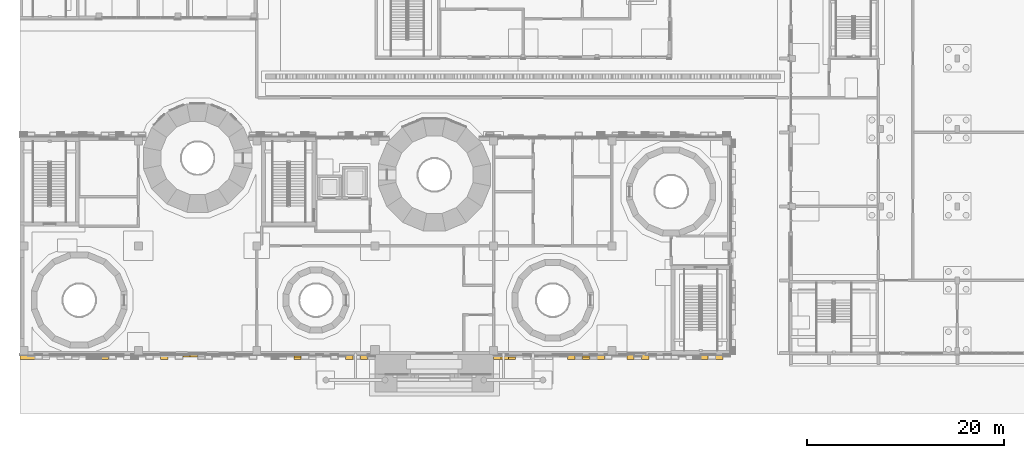
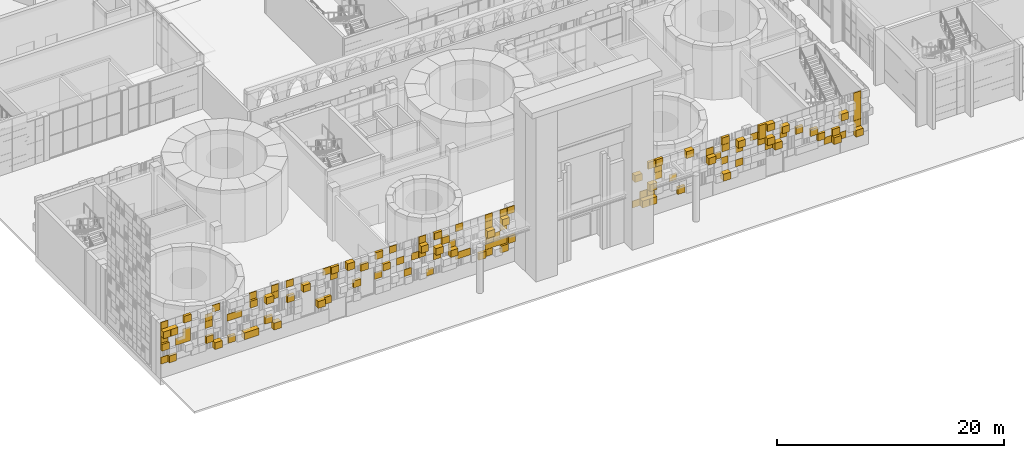
# One storey, part 77 of 125: 1 covering.
"""IFC4 building model written with IfcOpenShell, lengths in metres."""

from ifc_helpers import new_model, si_unit, direction, frame, origin, origin_2d, place, context, subcontext, project, spatial, rectangle, extrude, material, layer, layer_set, type_object, element, save


model = new_model("IFC4")

# Units and contexts
model_context = context("Model", 3, precision=1e-05, world=origin(), true_north=direction((0.0, 1.0)))
body_context = subcontext(model_context, "Body", "Model", "MODEL_VIEW")
ifc_project = project(units=[si_unit("LENGTHUNIT", "METRE"), si_unit("AREAUNIT", "SQUARE_METRE"), si_unit("VOLUMEUNIT", "CUBIC_METRE"), si_unit("PLANEANGLEUNIT", "RADIAN"), si_unit("MASSUNIT", "GRAM", prefix="KILO")], contexts=[model_context])

# Site, building, storey
site_placement = place(None, origin())
site = spatial("IfcSite", under=ifc_project, at=site_placement, CompositionType="ELEMENT")
building_placement = place(site_placement, origin())
building = spatial("IfcBuilding", under=site, at=building_placement, Name="Sun Court Science Centre", CompositionType="ELEMENT")
storey_placement = place(building_placement, origin())
storey = spatial("IfcBuildingStorey", under=building, at=storey_placement, Name="L00", CompositionType="ELEMENT", Elevation=0.0)

# Covering
ifc_material = material(Name="Terracotta shade 1", Category="masonry")
ifc_layer = layer(ifc_material, 0.06005859375)
ifc_layer_set = layer_set([ifc_layer], Name="Terracotta shade 1")
covering_type = type_object("IfcCoveringType", Name="Terracotta pixel panel shade 1", PredefinedType="CLADDING", material=ifc_layer_set)
covering_placement = place(storey_placement, origin())
element("IfcCovering", 1, at=covering_placement, inside=storey, type_object=covering_type, Name="Terracotta pixel cladding shade 1 south face L00", PredefinedType="CLADDING", context=body_context, shape_type="SweptSolid", body=[
    extrude(rectangle(XDim=0.739990234375, YDim=0.06005859375, at=origin_2d()), frame((69.375, 5.969970703125, 1.5048828125), z_axis=(0.0, 0.0, 1.0), x_axis=(-1.0, 0.0, 0.0)), (0.0, 0.0, 1.0), 0.739990234375),
    extrude(rectangle(XDim=0.739990234375, YDim=0.510009765625, at=origin_2d()), frame((68.625, 5.7451171875, 1.5048828125), z_axis=(0.0, 0.0, 1.0), x_axis=(-1.0, 0.0, 0.0)), (0.0, 0.0, 1.0), 0.739990234375),
    extrude(rectangle(XDim=0.739990234375, YDim=0.06005859375, at=origin_2d()), frame((67.875, 5.969970703125, 1.5048828125), z_axis=(0.0, 0.0, 1.0), x_axis=(-1.0, 0.0, 0.0)), (0.0, 0.0, 1.0), 0.739990234375),
    extrude(rectangle(XDim=0.739990234375, YDim=0.510009765625, at=origin_2d()), frame((57.375, 5.7451171875, 1.5048828125), z_axis=(0.0, 0.0, 1.0), x_axis=(-1.0, 0.0, 0.0)), (0.0, 0.0, 1.0), 0.739990234375),
    extrude(rectangle(XDim=0.739990234375, YDim=0.260009765625, at=origin_2d()), frame((52.875, 5.8701171875, 1.5048828125), z_axis=(0.0, 0.0, 1.0), x_axis=(-1.0, 0.0, 0.0)), (0.0, 0.0, 1.0), 0.739990234375),
    extrude(rectangle(XDim=0.739990234375, YDim=0.510009765625, at=origin_2d()), frame((49.875, 5.7451171875, 1.5048828125), z_axis=(0.0, 0.0, 1.0), x_axis=(-1.0, 0.0, 0.0)), (0.0, 0.0, 1.0), 0.739990234375),
    extrude(rectangle(XDim=0.739990234375, YDim=0.510009765625, at=origin_2d()), frame((49.125, 5.7451171875, 1.5048828125), z_axis=(0.0, 0.0, 1.0), x_axis=(-1.0, 0.0, 0.0)), (0.0, 0.0, 1.0), 0.739990234375),
    extrude(rectangle(XDim=0.739990234375, YDim=0.06005859375, at=origin_2d()), frame((48.375, 5.969970703125, 1.5048828125), z_axis=(0.0, 0.0, 1.0), x_axis=(-1.0, 0.0, 0.0)), (0.0, 0.0, 1.0), 0.739990234375),
    extrude(rectangle(XDim=0.739990234375, YDim=0.260009765625, at=origin_2d()), frame((34.875, 5.8701171875, 1.5048828125), z_axis=(0.0, 0.0, 1.0), x_axis=(-1.0, 0.0, 0.0)), (0.0, 0.0, 1.0), 0.739990234375),
    extrude(rectangle(XDim=0.739990234375, YDim=0.06005859375, at=origin_2d()), frame((33.375, 5.969970703125, 1.5048828125), z_axis=(0.0, 0.0, 1.0), x_axis=(-1.0, 0.0, 0.0)), (0.0, 0.0, 1.0), 0.739990234375),
    extrude(rectangle(XDim=0.739990234375, YDim=0.260009765625, at=origin_2d()), frame((32.625, 5.8701171875, 1.5048828125), z_axis=(0.0, 0.0, 1.0), x_axis=(-1.0, 0.0, 0.0)), (0.0, 0.0, 1.0), 0.739990234375),
    extrude(rectangle(XDim=0.739990234375, YDim=0.06005859375, at=origin_2d()), frame((27.375, 5.969970703125, 1.5048828125), z_axis=(0.0, 0.0, 1.0), x_axis=(-1.0, 0.0, 0.0)), (0.0, 0.0, 1.0), 0.739990234375),
    extrude(rectangle(XDim=0.739990234375, YDim=0.510009765625, at=origin_2d()), frame((11.625, 5.7451171875, 1.5048828125), z_axis=(0.0, 0.0, 1.0), x_axis=(-1.0, 0.0, 0.0)), (0.0, 0.0, 1.0), 0.739990234375),
    extrude(rectangle(XDim=0.739990234375, YDim=0.510009765625, at=origin_2d()), frame((9.375, 5.7451171875, 1.5048828125), z_axis=(0.0, 0.0, 1.0), x_axis=(-1.0, 0.0, 0.0)), (0.0, 0.0, 1.0), 0.739990234375),
    extrude(rectangle(XDim=0.739990234375, YDim=0.510009765625, at=origin_2d()), frame((8.625, 5.7451171875, 1.5048828125), z_axis=(0.0, 0.0, 1.0), x_axis=(-1.0, 0.0, 0.0)), (0.0, 0.0, 1.0), 0.739990234375),
    extrude(rectangle(XDim=0.739990234375, YDim=0.260009765625, at=origin_2d()), frame((7.125, 5.8701171875, 1.5048828125), z_axis=(0.0, 0.0, 1.0), x_axis=(-1.0, 0.0, 0.0)), (0.0, 0.0, 1.0), 0.739990234375),
    extrude(rectangle(XDim=0.739990234375, YDim=0.510009765625, at=origin_2d()), frame((5.625, 5.7451171875, 1.5048828125), z_axis=(0.0, 0.0, 1.0), x_axis=(-1.0, 0.0, 0.0)), (0.0, 0.0, 1.0), 0.739990234375),
    extrude(rectangle(XDim=0.739990234375, YDim=0.260009765625, at=origin_2d()), frame((1.125, 5.8701171875, 1.5048828125), z_axis=(0.0, 0.0, 1.0), x_axis=(-1.0, 0.0, 0.0)), (0.0, 0.0, 1.0), 0.739990234375),
    extrude(rectangle(XDim=0.739990234375, YDim=0.06005859375, at=origin_2d()), frame((0.375, 5.969970703125, 1.5048828125), z_axis=(0.0, 0.0, 1.0), x_axis=(-1.0, 0.0, 0.0)), (0.0, 0.0, 1.0), 0.739990234375),
    extrude(rectangle(XDim=0.739990234375, YDim=0.06005859375, at=origin_2d()), frame((70.875, 5.969970703125, 2.2548828125), z_axis=(0.0, 0.0, 1.0), x_axis=(-1.0, 0.0, 0.0)), (0.0, 0.0, 1.0), 0.739990234375),
    extrude(rectangle(XDim=0.739990234375, YDim=0.260009765625, at=origin_2d()), frame((68.625, 5.8701171875, 2.2548828125), z_axis=(0.0, 0.0, 1.0), x_axis=(-1.0, 0.0, 0.0)), (0.0, 0.0, 1.0), 0.739990234375),
    extrude(rectangle(XDim=0.739990234375, YDim=0.260009765625, at=origin_2d()), frame((67.125, 5.8701171875, 2.2548828125), z_axis=(0.0, 0.0, 1.0), x_axis=(-1.0, 0.0, 0.0)), (0.0, 0.0, 1.0), 0.739990234375),
    extrude(rectangle(XDim=0.739990234375, YDim=0.06005859375, at=origin_2d()), frame((58.875, 5.969970703125, 2.2548828125), z_axis=(0.0, 0.0, 1.0), x_axis=(-1.0, 0.0, 0.0)), (0.0, 0.0, 1.0), 0.739990234375),
    extrude(rectangle(XDim=0.739990234375, YDim=0.06005859375, at=origin_2d()), frame((49.875, 5.969970703125, 2.2548828125), z_axis=(0.0, 0.0, 1.0), x_axis=(-1.0, 0.0, 0.0)), (0.0, 0.0, 1.0), 0.739990234375),
    extrude(rectangle(XDim=0.739990234375, YDim=0.06005859375, at=origin_2d()), frame((49.125, 5.969970703125, 2.2548828125), z_axis=(0.0, 0.0, 1.0), x_axis=(-1.0, 0.0, 0.0)), (0.0, 0.0, 1.0), 0.739990234375),
    extrude(rectangle(XDim=0.739990234375, YDim=0.260009765625, at=origin_2d()), frame((35.625, 5.8701171875, 2.2548828125), z_axis=(0.0, 0.0, 1.0), x_axis=(-1.0, 0.0, 0.0)), (0.0, 0.0, 1.0), 0.739990234375),
    extrude(rectangle(XDim=0.739990234375, YDim=0.06005859375, at=origin_2d()), frame((34.875, 5.969970703125, 2.2548828125), z_axis=(0.0, 0.0, 1.0), x_axis=(-1.0, 0.0, 0.0)), (0.0, 0.0, 1.0), 0.739990234375),
    extrude(rectangle(XDim=0.739990234375, YDim=0.06005859375, at=origin_2d()), frame((34.125, 5.969970703125, 2.2548828125), z_axis=(0.0, 0.0, 1.0), x_axis=(-1.0, 0.0, 0.0)), (0.0, 0.0, 1.0), 0.739990234375),
    extrude(rectangle(XDim=0.739990234375, YDim=0.06005859375, at=origin_2d()), frame((33.375, 5.969970703125, 2.2548828125), z_axis=(0.0, 0.0, 1.0), x_axis=(-1.0, 0.0, 0.0)), (0.0, 0.0, 1.0), 0.739990234375),
    extrude(rectangle(XDim=0.739990234375, YDim=0.06005859375, at=origin_2d()), frame((31.125, 5.969970703125, 2.2548828125), z_axis=(0.0, 0.0, 1.0), x_axis=(-1.0, 0.0, 0.0)), (0.0, 0.0, 1.0), 0.739990234375),
    extrude(rectangle(XDim=0.739990234375, YDim=0.06005859375, at=origin_2d()), frame((30.375, 5.969970703125, 2.2548828125), z_axis=(0.0, 0.0, 1.0), x_axis=(-1.0, 0.0, 0.0)), (0.0, 0.0, 1.0), 0.739990234375),
    extrude(rectangle(XDim=0.739990234375, YDim=0.06005859375, at=origin_2d()), frame((25.125, 5.969970703125, 2.2548828125), z_axis=(0.0, 0.0, 1.0), x_axis=(-1.0, 0.0, 0.0)), (0.0, 0.0, 1.0), 0.739990234375),
    extrude(rectangle(XDim=0.739990234375, YDim=0.260009765625, at=origin_2d()), frame((16.875, 5.8701171875, 2.2548828125), z_axis=(0.0, 0.0, 1.0), x_axis=(-1.0, 0.0, 0.0)), (0.0, 0.0, 1.0), 0.739990234375),
    extrude(rectangle(XDim=0.739990234375, YDim=0.510009765625, at=origin_2d()), frame((16.125, 5.7451171875, 2.2548828125), z_axis=(0.0, 0.0, 1.0), x_axis=(-1.0, 0.0, 0.0)), (0.0, 0.0, 1.0), 0.739990234375),
    extrude(rectangle(XDim=0.739990234375, YDim=0.260009765625, at=origin_2d()), frame((10.875, 5.8701171875, 2.2548828125), z_axis=(0.0, 0.0, 1.0), x_axis=(-1.0, 0.0, 0.0)), (0.0, 0.0, 1.0), 0.739990234375),
    extrude(rectangle(XDim=0.739990234375, YDim=0.260009765625, at=origin_2d()), frame((4.875, 5.8701171875, 2.2548828125), z_axis=(0.0, 0.0, 1.0), x_axis=(-1.0, 0.0, 0.0)), (0.0, 0.0, 1.0), 0.739990234375),
    extrude(rectangle(XDim=0.739990234375, YDim=0.260009765625, at=origin_2d()), frame((66.375, 5.8701171875, 3.0048828125), z_axis=(0.0, 0.0, 1.0), x_axis=(-1.0, 0.0, 0.0)), (0.0, 0.0, 1.0), 0.739990234375),
    extrude(rectangle(XDim=0.739990234375, YDim=0.510009765625, at=origin_2d()), frame((62.625, 5.7451171875, 3.0048828125), z_axis=(0.0, 0.0, 1.0), x_axis=(-1.0, 0.0, 0.0)), (0.0, 0.0, 1.0), 0.739990234375),
    extrude(rectangle(XDim=0.739990234375, YDim=0.06005859375, at=origin_2d()), frame((61.875, 5.969970703125, 3.0048828125), z_axis=(0.0, 0.0, 1.0), x_axis=(-1.0, 0.0, 0.0)), (0.0, 0.0, 1.0), 0.739990234375),
    extrude(rectangle(XDim=0.739990234375, YDim=0.06005859375, at=origin_2d()), frame((57.375, 5.969970703125, 3.0048828125), z_axis=(0.0, 0.0, 1.0), x_axis=(-1.0, 0.0, 0.0)), (0.0, 0.0, 1.0), 0.739990234375),
    extrude(rectangle(XDim=0.739990234375, YDim=0.06005859375, at=origin_2d()), frame((52.125, 5.969970703125, 3.0048828125), z_axis=(0.0, 0.0, 1.0), x_axis=(-1.0, 0.0, 0.0)), (0.0, 0.0, 1.0), 0.739990234375),
    extrude(rectangle(XDim=0.739990234375, YDim=0.510009765625, at=origin_2d()), frame((49.875, 5.7451171875, 3.0048828125), z_axis=(0.0, 0.0, 1.0), x_axis=(-1.0, 0.0, 0.0)), (0.0, 0.0, 1.0), 0.739990234375),
    extrude(rectangle(XDim=0.739990234375, YDim=0.06005859375, at=origin_2d()), frame((34.125, 5.969970703125, 3.0048828125), z_axis=(0.0, 0.0, 1.0), x_axis=(-1.0, 0.0, 0.0)), (0.0, 0.0, 1.0), 0.739990234375),
    extrude(rectangle(XDim=0.739990234375, YDim=0.260009765625, at=origin_2d()), frame((33.375, 5.8701171875, 3.0048828125), z_axis=(0.0, 0.0, 1.0), x_axis=(-1.0, 0.0, 0.0)), (0.0, 0.0, 1.0), 0.739990234375),
    extrude(rectangle(XDim=0.739990234375, YDim=0.510009765625, at=origin_2d()), frame((29.625, 5.7451171875, 3.0048828125), z_axis=(0.0, 0.0, 1.0), x_axis=(-1.0, 0.0, 0.0)), (0.0, 0.0, 1.0), 0.739990234375),
    extrude(rectangle(XDim=0.739990234375, YDim=0.06005859375, at=origin_2d()), frame((28.125, 5.969970703125, 3.0048828125), z_axis=(0.0, 0.0, 1.0), x_axis=(-1.0, 0.0, 0.0)), (0.0, 0.0, 1.0), 0.739990234375),
    extrude(rectangle(XDim=0.739990234375, YDim=0.06005859375, at=origin_2d()), frame((22.125, 5.969970703125, 3.0048828125), z_axis=(0.0, 0.0, 1.0), x_axis=(-1.0, 0.0, 0.0)), (0.0, 0.0, 1.0), 0.739990234375),
    extrude(rectangle(XDim=0.739990234375, YDim=0.260009765625, at=origin_2d()), frame((19.875, 5.8701171875, 3.0048828125), z_axis=(0.0, 0.0, 1.0), x_axis=(-1.0, 0.0, 0.0)), (0.0, 0.0, 1.0), 0.739990234375),
    extrude(rectangle(XDim=0.739990234375, YDim=0.06005859375, at=origin_2d()), frame((2.625, 5.969970703125, 3.0048828125), z_axis=(0.0, 0.0, 1.0), x_axis=(-1.0, 0.0, 0.0)), (0.0, 0.0, 1.0), 0.739990234375),
    extrude(rectangle(XDim=0.739990234375, YDim=0.06005859375, at=origin_2d()), frame((1.875, 5.969970703125, 3.0048828125), z_axis=(0.0, 0.0, 1.0), x_axis=(-1.0, 0.0, 0.0)), (0.0, 0.0, 1.0), 0.739990234375),
    extrude(rectangle(XDim=0.739990234375, YDim=0.510009765625, at=origin_2d()), frame((69.375, 5.7451171875, 3.7548828125), z_axis=(0.0, 0.0, 1.0), x_axis=(-1.0, 0.0, 0.0)), (0.0, 0.0, 1.0), 0.739990234375),
    extrude(rectangle(XDim=0.739990234375, YDim=0.260009765625, at=origin_2d()), frame((64.875, 5.8701171875, 3.7548828125), z_axis=(0.0, 0.0, 1.0), x_axis=(-1.0, 0.0, 0.0)), (0.0, 0.0, 1.0), 0.739990234375),
    extrude(rectangle(XDim=0.739990234375, YDim=0.06005859375, at=origin_2d()), frame((63.375, 5.969970703125, 3.7548828125), z_axis=(0.0, 0.0, 1.0), x_axis=(-1.0, 0.0, 0.0)), (0.0, 0.0, 1.0), 0.739990234375),
    extrude(rectangle(XDim=0.739990234375, YDim=0.510009765625, at=origin_2d()), frame((61.875, 5.7451171875, 3.7548828125), z_axis=(0.0, 0.0, 1.0), x_axis=(-1.0, 0.0, 0.0)), (0.0, 0.0, 1.0), 0.739990234375),
    extrude(rectangle(XDim=0.739990234375, YDim=0.06005859375, at=origin_2d()), frame((61.125, 5.969970703125, 3.7548828125), z_axis=(0.0, 0.0, 1.0), x_axis=(-1.0, 0.0, 0.0)), (0.0, 0.0, 1.0), 0.739990234375),
    extrude(rectangle(XDim=0.739990234375, YDim=0.06005859375, at=origin_2d()), frame((58.875, 5.969970703125, 3.7548828125), z_axis=(0.0, 0.0, 1.0), x_axis=(-1.0, 0.0, 0.0)), (0.0, 0.0, 1.0), 0.739990234375),
    extrude(rectangle(XDim=0.739990234375, YDim=0.06005859375, at=origin_2d()), frame((56.625, 5.969970703125, 3.7548828125), z_axis=(0.0, 0.0, 1.0), x_axis=(-1.0, 0.0, 0.0)), (0.0, 0.0, 1.0), 0.739990234375),
    extrude(rectangle(XDim=0.739990234375, YDim=0.510009765625, at=origin_2d()), frame((55.875, 5.7451171875, 3.7548828125), z_axis=(0.0, 0.0, 1.0), x_axis=(-1.0, 0.0, 0.0)), (0.0, 0.0, 1.0), 0.739990234375),
    extrude(rectangle(XDim=0.739990234375, YDim=0.06005859375, at=origin_2d()), frame((50.625, 5.969970703125, 3.7548828125), z_axis=(0.0, 0.0, 1.0), x_axis=(-1.0, 0.0, 0.0)), (0.0, 0.0, 1.0), 0.739990234375),
    extrude(rectangle(XDim=0.739990234375, YDim=0.06005859375, at=origin_2d()), frame((34.875, 5.969970703125, 3.7548828125), z_axis=(0.0, 0.0, 1.0), x_axis=(-1.0, 0.0, 0.0)), (0.0, 0.0, 1.0), 0.739990234375),
    extrude(rectangle(XDim=0.739990234375, YDim=0.510009765625, at=origin_2d()), frame((33.375, 5.7451171875, 3.7548828125), z_axis=(0.0, 0.0, 1.0), x_axis=(-1.0, 0.0, 0.0)), (0.0, 0.0, 1.0), 0.739990234375),
    extrude(rectangle(XDim=0.739990234375, YDim=0.06005859375, at=origin_2d()), frame((29.625, 5.969970703125, 3.7548828125), z_axis=(0.0, 0.0, 1.0), x_axis=(-1.0, 0.0, 0.0)), (0.0, 0.0, 1.0), 0.739990234375),
    extrude(rectangle(XDim=0.739990234375, YDim=0.510009765625, at=origin_2d()), frame((28.125, 5.7451171875, 3.7548828125), z_axis=(0.0, 0.0, 1.0), x_axis=(-1.0, 0.0, 0.0)), (0.0, 0.0, 1.0), 0.739990234375),
    extrude(rectangle(XDim=0.739990234375, YDim=0.06005859375, at=origin_2d()), frame((26.625, 5.969970703125, 3.7548828125), z_axis=(0.0, 0.0, 1.0), x_axis=(-1.0, 0.0, 0.0)), (0.0, 0.0, 1.0), 0.739990234375),
    extrude(rectangle(XDim=0.739990234375, YDim=0.06005859375, at=origin_2d()), frame((25.875, 5.969970703125, 3.7548828125), z_axis=(0.0, 0.0, 1.0), x_axis=(-1.0, 0.0, 0.0)), (0.0, 0.0, 1.0), 0.739990234375),
    extrude(rectangle(XDim=0.739990234375, YDim=0.06005859375, at=origin_2d()), frame((24.375, 5.969970703125, 3.7548828125), z_axis=(0.0, 0.0, 1.0), x_axis=(-1.0, 0.0, 0.0)), (0.0, 0.0, 1.0), 0.739990234375),
    extrude(rectangle(XDim=0.739990234375, YDim=0.260009765625, at=origin_2d()), frame((22.875, 5.8701171875, 3.7548828125), z_axis=(0.0, 0.0, 1.0), x_axis=(-1.0, 0.0, 0.0)), (0.0, 0.0, 1.0), 0.739990234375),
    extrude(rectangle(XDim=0.739990234375, YDim=0.260009765625, at=origin_2d()), frame((13.125, 5.8701171875, 3.7548828125), z_axis=(0.0, 0.0, 1.0), x_axis=(-1.0, 0.0, 0.0)), (0.0, 0.0, 1.0), 0.739990234375),
    extrude(rectangle(XDim=0.739990234375, YDim=0.06005859375, at=origin_2d()), frame((7.875, 5.969970703125, 3.7548828125), z_axis=(0.0, 0.0, 1.0), x_axis=(-1.0, 0.0, 0.0)), (0.0, 0.0, 1.0), 0.739990234375),
    extrude(rectangle(XDim=0.739990234375, YDim=0.06005859375, at=origin_2d()), frame((7.125, 5.969970703125, 3.7548828125), z_axis=(0.0, 0.0, 1.0), x_axis=(-1.0, 0.0, 0.0)), (0.0, 0.0, 1.0), 0.739990234375),
    extrude(rectangle(XDim=0.739990234375, YDim=0.06005859375, at=origin_2d()), frame((4.875, 5.969970703125, 3.7548828125), z_axis=(0.0, 0.0, 1.0), x_axis=(-1.0, 0.0, 0.0)), (0.0, 0.0, 1.0), 0.739990234375),
    extrude(rectangle(XDim=0.739990234375, YDim=0.06005859375, at=origin_2d()), frame((2.625, 5.969970703125, 3.7548828125), z_axis=(0.0, 0.0, 1.0), x_axis=(-1.0, 0.0, 0.0)), (0.0, 0.0, 1.0), 0.739990234375),
    extrude(rectangle(XDim=0.739990234375, YDim=0.06005859375, at=origin_2d()), frame((0.375, 5.969970703125, 3.7548828125), z_axis=(0.0, 0.0, 1.0), x_axis=(-1.0, 0.0, 0.0)), (0.0, 0.0, 1.0), 0.739990234375),
    extrude(rectangle(XDim=0.739990234375, YDim=0.510009765625, at=origin_2d()), frame((63.375, 5.7451171875, 4.5048828125), z_axis=(0.0, 0.0, 1.0), x_axis=(-1.0, 0.0, 0.0)), (0.0, 0.0, 1.0), 0.739990234375),
    extrude(rectangle(XDim=0.739990234375, YDim=0.260009765625, at=origin_2d()), frame((61.125, 5.8701171875, 4.5048828125), z_axis=(0.0, 0.0, 1.0), x_axis=(-1.0, 0.0, 0.0)), (0.0, 0.0, 1.0), 0.739990234375),
    extrude(rectangle(XDim=0.739990234375, YDim=0.06005859375, at=origin_2d()), frame((60.375, 5.969970703125, 4.5048828125), z_axis=(0.0, 0.0, 1.0), x_axis=(-1.0, 0.0, 0.0)), (0.0, 0.0, 1.0), 0.739990234375),
    extrude(rectangle(XDim=0.739990234375, YDim=0.510009765625, at=origin_2d()), frame((58.875, 5.7451171875, 4.5048828125), z_axis=(0.0, 0.0, 1.0), x_axis=(-1.0, 0.0, 0.0)), (0.0, 0.0, 1.0), 0.739990234375),
    extrude(rectangle(XDim=0.739990234375, YDim=0.260009765625, at=origin_2d()), frame((57.375, 5.8701171875, 4.5048828125), z_axis=(0.0, 0.0, 1.0), x_axis=(-1.0, 0.0, 0.0)), (0.0, 0.0, 1.0), 0.739990234375),
    extrude(rectangle(XDim=0.739990234375, YDim=0.06005859375, at=origin_2d()), frame((55.875, 5.969970703125, 4.5048828125), z_axis=(0.0, 0.0, 1.0), x_axis=(-1.0, 0.0, 0.0)), (0.0, 0.0, 1.0), 0.739990234375),
    extrude(rectangle(XDim=0.739990234375, YDim=0.06005859375, at=origin_2d()), frame((50.625, 5.969970703125, 4.5048828125), z_axis=(0.0, 0.0, 1.0), x_axis=(-1.0, 0.0, 0.0)), (0.0, 0.0, 1.0), 0.739990234375),
    extrude(rectangle(XDim=0.739990234375, YDim=0.510009765625, at=origin_2d()), frame((48.375, 5.7451171875, 4.5048828125), z_axis=(0.0, 0.0, 1.0), x_axis=(-1.0, 0.0, 0.0)), (0.0, 0.0, 1.0), 0.739990234375),
    extrude(rectangle(XDim=0.739990234375, YDim=0.510009765625, at=origin_2d()), frame((34.875, 5.7451171875, 4.5048828125), z_axis=(0.0, 0.0, 1.0), x_axis=(-1.0, 0.0, 0.0)), (0.0, 0.0, 1.0), 0.739990234375),
    extrude(rectangle(XDim=0.739990234375, YDim=0.06005859375, at=origin_2d()), frame((33.375, 5.969970703125, 4.5048828125), z_axis=(0.0, 0.0, 1.0), x_axis=(-1.0, 0.0, 0.0)), (0.0, 0.0, 1.0), 0.739990234375),
    extrude(rectangle(XDim=0.739990234375, YDim=0.260009765625, at=origin_2d()), frame((28.875, 5.8701171875, 4.5048828125), z_axis=(0.0, 0.0, 1.0), x_axis=(-1.0, 0.0, 0.0)), (0.0, 0.0, 1.0), 0.739990234375),
    extrude(rectangle(XDim=0.739990234375, YDim=0.510009765625, at=origin_2d()), frame((26.625, 5.7451171875, 4.5048828125), z_axis=(0.0, 0.0, 1.0), x_axis=(-1.0, 0.0, 0.0)), (0.0, 0.0, 1.0), 0.739990234375),
    extrude(rectangle(XDim=0.739990234375, YDim=0.260009765625, at=origin_2d()), frame((20.625, 5.8701171875, 4.5048828125), z_axis=(0.0, 0.0, 1.0), x_axis=(-1.0, 0.0, 0.0)), (0.0, 0.0, 1.0), 0.739990234375),
    extrude(rectangle(XDim=0.739990234375, YDim=0.06005859375, at=origin_2d()), frame((17.625, 5.969970703125, 4.5048828125), z_axis=(0.0, 0.0, 1.0), x_axis=(-1.0, 0.0, 0.0)), (0.0, 0.0, 1.0), 0.739990234375),
    extrude(rectangle(XDim=0.739990234375, YDim=0.510009765625, at=origin_2d()), frame((14.625, 5.7451171875, 4.5048828125), z_axis=(0.0, 0.0, 1.0), x_axis=(-1.0, 0.0, 0.0)), (0.0, 0.0, 1.0), 0.739990234375),
    extrude(rectangle(XDim=0.739990234375, YDim=0.06005859375, at=origin_2d()), frame((11.625, 5.969970703125, 4.5048828125), z_axis=(0.0, 0.0, 1.0), x_axis=(-1.0, 0.0, 0.0)), (0.0, 0.0, 1.0), 0.739990234375),
    extrude(rectangle(XDim=0.739990234375, YDim=0.510009765625, at=origin_2d()), frame((10.875, 5.7451171875, 4.5048828125), z_axis=(0.0, 0.0, 1.0), x_axis=(-1.0, 0.0, 0.0)), (0.0, 0.0, 1.0), 0.739990234375),
    extrude(rectangle(XDim=0.739990234375, YDim=0.260009765625, at=origin_2d()), frame((9.375, 5.8701171875, 4.5048828125), z_axis=(0.0, 0.0, 1.0), x_axis=(-1.0, 0.0, 0.0)), (0.0, 0.0, 1.0), 0.739990234375),
    extrude(rectangle(XDim=0.739990234375, YDim=0.06005859375, at=origin_2d()), frame((4.875, 5.969970703125, 4.5048828125), z_axis=(0.0, 0.0, 1.0), x_axis=(-1.0, 0.0, 0.0)), (0.0, 0.0, 1.0), 0.739990234375),
    extrude(rectangle(XDim=0.739990234375, YDim=0.510009765625, at=origin_2d()), frame((1.125, 5.7451171875, 4.5048828125), z_axis=(0.0, 0.0, 1.0), x_axis=(-1.0, 0.0, 0.0)), (0.0, 0.0, 1.0), 0.739990234375),
    extrude(rectangle(XDim=0.739990234375, YDim=0.510009765625, at=origin_2d()), frame((0.375, 5.7451171875, 4.5048828125), z_axis=(0.0, 0.0, 1.0), x_axis=(-1.0, 0.0, 0.0)), (0.0, 0.0, 1.0), 0.739990234375),
    extrude(rectangle(XDim=0.739990234375, YDim=0.06005859375, at=origin_2d()), frame((70.875, 5.969970703125, 5.2548828125), z_axis=(0.0, 0.0, 1.0), x_axis=(-1.0, 0.0, 0.0)), (0.0, 0.0, 1.0), 0.739990234375),
    extrude(rectangle(XDim=0.739990234375, YDim=0.510009765625, at=origin_2d()), frame((61.875, 5.7451171875, 5.2548828125), z_axis=(0.0, 0.0, 1.0), x_axis=(-1.0, 0.0, 0.0)), (0.0, 0.0, 1.0), 0.739990234375),
    extrude(rectangle(XDim=0.739990234375, YDim=0.260009765625, at=origin_2d()), frame((61.125, 5.8701171875, 5.2548828125), z_axis=(0.0, 0.0, 1.0), x_axis=(-1.0, 0.0, 0.0)), (0.0, 0.0, 1.0), 0.739990234375),
    extrude(rectangle(XDim=0.739990234375, YDim=0.260009765625, at=origin_2d()), frame((57.375, 5.8701171875, 5.2548828125), z_axis=(0.0, 0.0, 1.0), x_axis=(-1.0, 0.0, 0.0)), (0.0, 0.0, 1.0), 0.739990234375),
    extrude(rectangle(XDim=0.739990234375, YDim=0.510009765625, at=origin_2d()), frame((53.625, 5.7451171875, 5.2548828125), z_axis=(0.0, 0.0, 1.0), x_axis=(-1.0, 0.0, 0.0)), (0.0, 0.0, 1.0), 0.739990234375),
    extrude(rectangle(XDim=0.739990234375, YDim=0.260009765625, at=origin_2d()), frame((50.625, 5.8701171875, 5.2548828125), z_axis=(0.0, 0.0, 1.0), x_axis=(-1.0, 0.0, 0.0)), (0.0, 0.0, 1.0), 0.739990234375),
    extrude(rectangle(XDim=0.739990234375, YDim=0.260009765625, at=origin_2d()), frame((49.875, 5.8701171875, 5.2548828125), z_axis=(0.0, 0.0, 1.0), x_axis=(-1.0, 0.0, 0.0)), (0.0, 0.0, 1.0), 0.739990234375),
    extrude(rectangle(XDim=0.739990234375, YDim=0.06005859375, at=origin_2d()), frame((35.625, 5.969970703125, 5.2548828125), z_axis=(0.0, 0.0, 1.0), x_axis=(-1.0, 0.0, 0.0)), (0.0, 0.0, 1.0), 0.739990234375),
    extrude(rectangle(XDim=0.739990234375, YDim=0.06005859375, at=origin_2d()), frame((34.875, 5.969970703125, 5.2548828125), z_axis=(0.0, 0.0, 1.0), x_axis=(-1.0, 0.0, 0.0)), (0.0, 0.0, 1.0), 0.739990234375),
    extrude(rectangle(XDim=0.739990234375, YDim=0.06005859375, at=origin_2d()), frame((33.375, 5.969970703125, 5.2548828125), z_axis=(0.0, 0.0, 1.0), x_axis=(-1.0, 0.0, 0.0)), (0.0, 0.0, 1.0), 0.739990234375),
    extrude(rectangle(XDim=0.739990234375, YDim=0.06005859375, at=origin_2d()), frame((30.375, 5.969970703125, 5.2548828125), z_axis=(0.0, 0.0, 1.0), x_axis=(-1.0, 0.0, 0.0)), (0.0, 0.0, 1.0), 0.739990234375),
    extrude(rectangle(XDim=0.739990234375, YDim=0.260009765625, at=origin_2d()), frame((28.125, 5.8701171875, 5.2548828125), z_axis=(0.0, 0.0, 1.0), x_axis=(-1.0, 0.0, 0.0)), (0.0, 0.0, 1.0), 0.739990234375),
    extrude(rectangle(XDim=0.739990234375, YDim=0.06005859375, at=origin_2d()), frame((26.625, 5.969970703125, 5.2548828125), z_axis=(0.0, 0.0, 1.0), x_axis=(-1.0, 0.0, 0.0)), (0.0, 0.0, 1.0), 0.739990234375),
    extrude(rectangle(XDim=0.739990234375, YDim=0.06005859375, at=origin_2d()), frame((23.625, 5.969970703125, 5.2548828125), z_axis=(0.0, 0.0, 1.0), x_axis=(-1.0, 0.0, 0.0)), (0.0, 0.0, 1.0), 0.739990234375),
    extrude(rectangle(XDim=0.739990234375, YDim=0.260009765625, at=origin_2d()), frame((22.125, 5.8701171875, 5.2548828125), z_axis=(0.0, 0.0, 1.0), x_axis=(-1.0, 0.0, 0.0)), (0.0, 0.0, 1.0), 0.739990234375),
    extrude(rectangle(XDim=0.739990234375, YDim=0.510009765625, at=origin_2d()), frame((19.125, 5.7451171875, 5.2548828125), z_axis=(0.0, 0.0, 1.0), x_axis=(-1.0, 0.0, 0.0)), (0.0, 0.0, 1.0), 0.739990234375),
    extrude(rectangle(XDim=0.739990234375, YDim=0.260009765625, at=origin_2d()), frame((17.625, 5.8701171875, 5.2548828125), z_axis=(0.0, 0.0, 1.0), x_axis=(-1.0, 0.0, 0.0)), (0.0, 0.0, 1.0), 0.739990234375),
    extrude(rectangle(XDim=0.739990234375, YDim=0.06005859375, at=origin_2d()), frame((16.875, 5.969970703125, 5.2548828125), z_axis=(0.0, 0.0, 1.0), x_axis=(-1.0, 0.0, 0.0)), (0.0, 0.0, 1.0), 0.739990234375),
    extrude(rectangle(XDim=0.739990234375, YDim=0.06005859375, at=origin_2d()), frame((13.125, 5.969970703125, 5.2548828125), z_axis=(0.0, 0.0, 1.0), x_axis=(-1.0, 0.0, 0.0)), (0.0, 0.0, 1.0), 0.739990234375),
    extrude(rectangle(XDim=0.739990234375, YDim=0.06005859375, at=origin_2d()), frame((11.625, 5.969970703125, 5.2548828125), z_axis=(0.0, 0.0, 1.0), x_axis=(-1.0, 0.0, 0.0)), (0.0, 0.0, 1.0), 0.739990234375),
    extrude(rectangle(XDim=0.739990234375, YDim=0.06005859375, at=origin_2d()), frame((9.375, 5.969970703125, 5.2548828125), z_axis=(0.0, 0.0, 1.0), x_axis=(-1.0, 0.0, 0.0)), (0.0, 0.0, 1.0), 0.739990234375),
    extrude(rectangle(XDim=0.739990234375, YDim=0.06005859375, at=origin_2d()), frame((5.625, 5.969970703125, 5.2548828125), z_axis=(0.0, 0.0, 1.0), x_axis=(-1.0, 0.0, 0.0)), (0.0, 0.0, 1.0), 0.739990234375),
    extrude(rectangle(XDim=0.739990234375, YDim=0.260009765625, at=origin_2d()), frame((2.625, 5.8701171875, 5.2548828125), z_axis=(0.0, 0.0, 1.0), x_axis=(-1.0, 0.0, 0.0)), (0.0, 0.0, 1.0), 0.739990234375),
    extrude(rectangle(XDim=0.739990234375, YDim=0.06005859375, at=origin_2d()), frame((0.375, 5.969970703125, 5.2548828125), z_axis=(0.0, 0.0, 1.0), x_axis=(-1.0, 0.0, 0.0)), (0.0, 0.0, 1.0), 0.739990234375),
    extrude(rectangle(XDim=0.739990234375, YDim=0.06005859375, at=origin_2d()), frame((70.875, 5.969970703125, 3.0048828125), z_axis=(0.0, 0.0, 1.0), x_axis=(-1.0, 0.0, 0.0)), (0.0, 0.0, 1.0), 0.739990234375),
    extrude(rectangle(XDim=0.739990234375, YDim=0.06005859375, at=origin_2d()), frame((70.875, 5.969970703125, 3.7548828125), z_axis=(0.0, 0.0, 1.0), x_axis=(-1.0, 0.0, 0.0)), (0.0, 0.0, 1.0), 0.739990234375),
    extrude(rectangle(XDim=0.739990234375, YDim=0.260009765625, at=origin_2d()), frame((0.375, 5.8701171875, 3.0048828125), z_axis=(0.0, 0.0, 1.0), x_axis=(-1.0, 0.0, 0.0)), (0.0, 0.0, 1.0), 0.739990234375),
    extrude(rectangle(XDim=0.739990234375, YDim=0.510009765625, at=origin_2d()), frame((70.875, 5.7451171875, 1.5048828125), z_axis=(0.0, 0.0, 1.0), x_axis=(-1.0, 0.0, 0.0)), (0.0, 0.0, 1.0), 0.739990234375),
    extrude(rectangle(XDim=0.739990234375, YDim=0.06005859375, at=origin_2d()), frame((70.875, 5.969970703125, 4.5048828125), z_axis=(0.0, 0.0, 1.0), x_axis=(-1.0, 0.0, 0.0)), (0.0, 0.0, 1.0), 0.739990234375),
])

save(model, "model.ifc")
